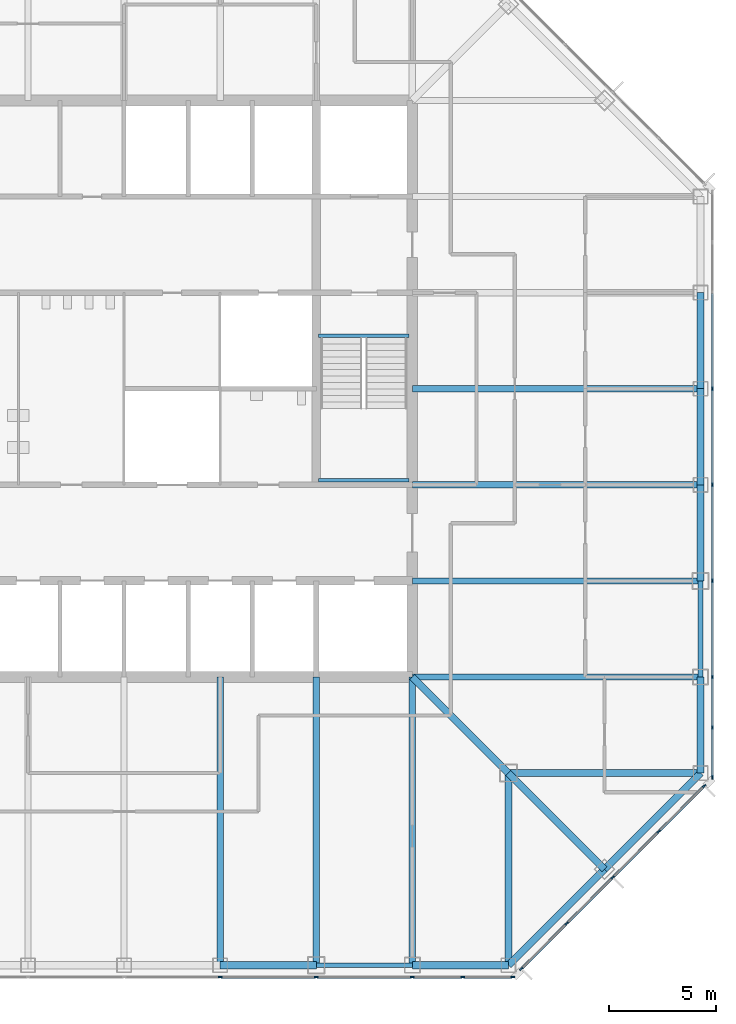
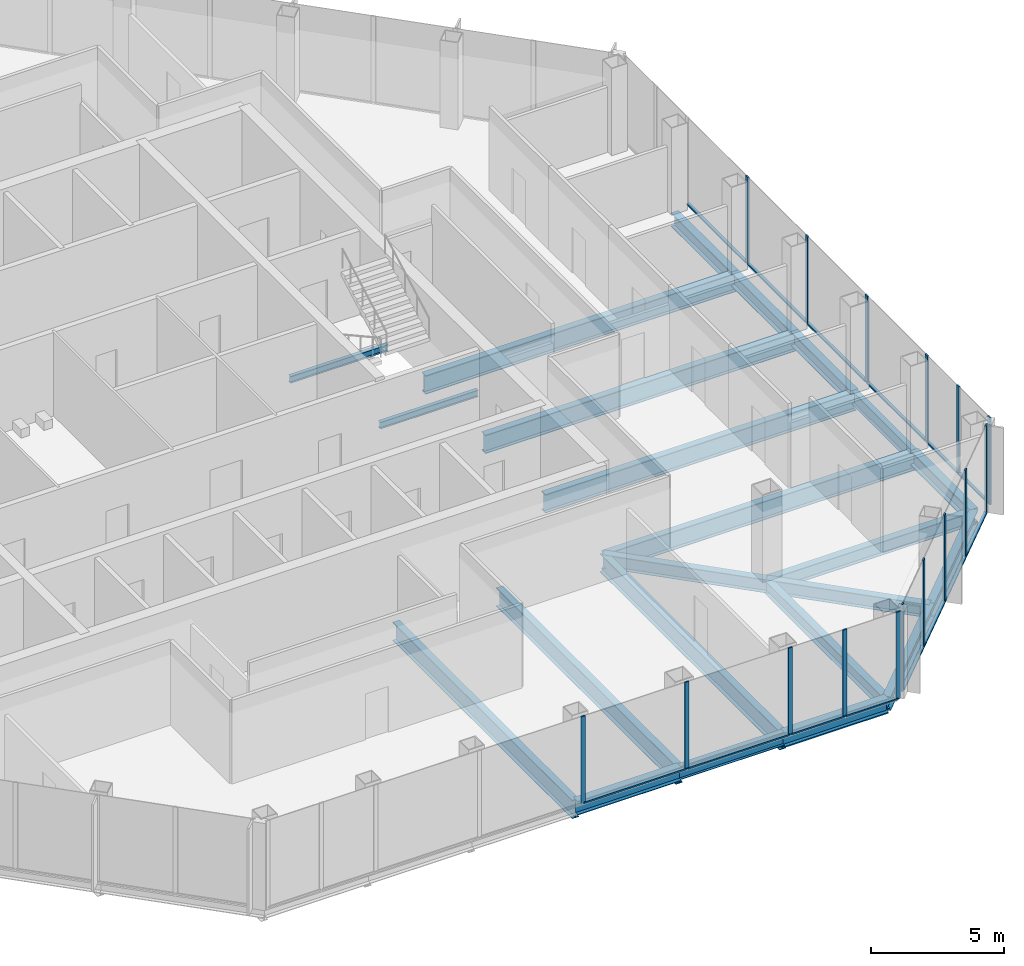
# One storey, part 4 of 13: 30 members, 23 beams, 3 elements without a shape of their own.
"""IFC4 building model written with IfcOpenShell, lengths in metres."""

from ifc_helpers import new_model, si_unit, direction, frame, origin, origin_2d, place, context, subcontext, project, spatial, rectangle, i_section, extrude, material, material_profile, profile_set, type_object, element, aggregate, save


model = new_model("IFC4")

# Units and contexts
model_context = context("Model", 3, precision=1e-05, world=origin(), true_north=direction((0.0, 1.0)))
body_context = subcontext(model_context, "Body", "Model", "MODEL_VIEW")
ifc_project = project(units=[si_unit("LENGTHUNIT", "METRE"), si_unit("AREAUNIT", "SQUARE_METRE"), si_unit("VOLUMEUNIT", "CUBIC_METRE"), si_unit("PLANEANGLEUNIT", "RADIAN"), si_unit("MASSUNIT", "GRAM", prefix="KILO")], contexts=[model_context])

# Site, building, storey
site_placement = place(None, origin())
site = spatial("IfcSite", under=ifc_project, at=site_placement, CompositionType="ELEMENT")
building_placement = place(site_placement, origin())
building = spatial("IfcBuilding", under=site, at=building_placement, Name="Corais Broadcast Tower", CompositionType="ELEMENT")
storey_placement = place(building_placement, frame((0.0, 0.0, 179.60009765625)))
storey = spatial("IfcBuildingStorey", under=building, at=storey_placement, Name="L41", CompositionType="ELEMENT", Elevation=179.60009765625)

# Beams
ifc_material_1 = material(Name="Steel ASTM A572 Grade 50", Category="steel")
ifc_material_profile_1 = material_profile(ifc_material_1, i_section(OverallWidth=0.323974609375, OverallDepth=0.611083984375, WebThickness=0.0126953125, FlangeThickness=0.01904296875, at=origin_2d()), Name="W610x155")
ifc_profile_set_1 = profile_set([ifc_material_profile_1], Name="Steel ASTM A572 Grade 50")
beam_type_1 = type_object("IfcBeamType", Name="Chamfer tie W610x155", PredefinedType="BEAM", material=ifc_profile_set_1)
beam_1_placement = place(storey_placement, frame((49.5, 4.5, -0.465576171875), z_axis=(-0.707106781187, 0.707106781187, 0.0), x_axis=(-0.707106781187, -0.707106781187, 0.0)))
element("IfcBeam", 1, at=beam_1_placement, inside=storey, type_object=beam_type_1, Name="B5 B/14 to C/13", PredefinedType="BEAM", context=body_context, shape_type="SweptSolid", body=[
    extrude(i_section(OverallWidth=0.323974609375, OverallDepth=0.611083984375, WebThickness=0.0126953125, FlangeThickness=0.01904296875, at=origin_2d()), origin(), (0.0, 0.0, 1.0), 6.364013671875),
])
ifc_material_2 = material(Name="Steel ASTM A572 Grade 50", Category="steel")
ifc_material_profile_2 = material_profile(ifc_material_2, i_section(OverallWidth=0.323974609375, OverallDepth=0.611083984375, WebThickness=0.0126953125, FlangeThickness=0.01904296875, at=origin_2d()), Name="W610x155")
ifc_profile_set_2 = profile_set([ifc_material_profile_2], Name="Steel ASTM A572 Grade 50")
beam_type_2 = type_object("IfcBeamType", Name="Corner diagonal W610x155", PredefinedType="BEAM", material=ifc_profile_set_2)
beam_2_placement = place(storey_placement, frame((45.0, 9.0, -0.465576171875), z_axis=(-0.707106781187, 0.707106781187, 0.0), x_axis=(-0.707106781187, -0.707106781187, 0.0)))
element("IfcBeam", 2, at=beam_2_placement, inside=storey, type_object=beam_type_2, Name="B6 C/13 to D/12", PredefinedType="BEAM", context=body_context, shape_type="SweptSolid", body=[
    extrude(i_section(OverallWidth=0.323974609375, OverallDepth=0.611083984375, WebThickness=0.0126953125, FlangeThickness=0.01904296875, at=origin_2d()), origin(), (0.0, 0.0, 1.0), 6.364013671875),
])
ifc_material_3 = material(Name="Steel ASTM A572 Grade 50", Category="steel")
ifc_material_profile_3 = material_profile(ifc_material_3, i_section(OverallWidth=0.323974609375, OverallDepth=0.611083984375, WebThickness=0.0126953125, FlangeThickness=0.01904296875, at=origin_2d()), Name="W610x155")
ifc_profile_set_3 = profile_set([ifc_material_profile_3], Name="Steel ASTM A572 Grade 50")
beam_type_3 = type_object("IfcBeamType", Name="Corner girder W610x155", PredefinedType="BEAM", material=ifc_profile_set_3)
for number, where, z_axis, x_axis, name in (
    (3, (45.0, 0.0, -0.465576171875), (0.0, 1.0, 0.0), (-1.0, 0.0, 0.0), "B4 A/13 to C/13"),
    (4, (54.0, 9.0, -0.465576171875), (-1.0, 0.0, 0.0), (0.0, -1.0, 0.0), "B4 C/15 to C/13"),
):
    element("IfcBeam", number, at=place(storey_placement, frame(where, z_axis=z_axis, x_axis=x_axis)), inside=storey, type_object=beam_type_3, Name=name, PredefinedType="BEAM", context=body_context, shape_type="SweptSolid", body=[
        extrude(i_section(OverallWidth=0.323974609375, OverallDepth=0.611083984375, WebThickness=0.0126953125, FlangeThickness=0.01904296875, at=origin_2d()), origin(), (0.0, 0.0, 1.0), 9.0),
    ])
ifc_material_4 = material(Name="Steel ASTM A572 Grade 50", Category="steel")
ifc_material_profile_4 = material_profile(ifc_material_4, i_section(OverallWidth=0.337890625, OverallDepth=0.677978515625, WebThickness=0.029541015625, FlangeThickness=0.052978515625, at=origin_2d()), Name="W610x415")
ifc_profile_set_4 = profile_set([ifc_material_profile_4], Name="Steel ASTM A572 Grade 50")
beam_type_4 = type_object("IfcBeamType", Name="Corner spandrel W610x415", PredefinedType="BEAM", material=ifc_profile_set_4)
for number, where, z_axis, x_axis, name in (
    (5, (40.5, 0.0, -0.4990234375), (1.0, 0.0, 0.0), (0.0, 1.0, 0.0), "SB10 A/12 to A/13"),
    (6, (54.0, 9.0, -0.4990234375), (0.0, 1.0, 0.0), (-1.0, 0.0, 0.0), "SB10 C/15 to D/15"),
):
    element("IfcBeam", number, at=place(storey_placement, frame(where, z_axis=z_axis, x_axis=x_axis)), inside=storey, type_object=beam_type_4, Name=name, PredefinedType="BEAM", context=body_context, shape_type="SweptSolid", body=[
        extrude(i_section(OverallWidth=0.337890625, OverallDepth=0.677978515625, WebThickness=0.029541015625, FlangeThickness=0.052978515625, at=origin_2d()), origin(), (0.0, 0.0, 1.0), 4.5),
    ])
ifc_material_5 = material(Name="Steel ASTM A572 Grade 50", Category="steel")
ifc_material_profile_5 = material_profile(ifc_material_5, i_section(OverallWidth=0.2939453125, OverallDepth=0.85107421875, WebThickness=0.01611328125, FlangeThickness=0.02685546875, at=origin_2d()), Name="W840x226")
ifc_profile_set_5 = profile_set([ifc_material_profile_5], Name="Steel ASTM A572 Grade 50")
beam_type_5 = type_object("IfcBeamType", Name="Floor beam W840x226", PredefinedType="BEAM", material=ifc_profile_set_5)
for number, where, z_axis, x_axis, name in (
    (7, (31.5, 0.0, -0.585693359375), (0.0, 1.0, 0.0), (-1.0, 0.0, 0.0), "B1 A/10 to D/10"),
    (8, (36.0, 0.0, -0.585693359375), (0.0, 1.0, 0.0), (-1.0, 0.0, 0.0), "B1 A/11 to D/11"),
    (9, (40.5, 0.0, -0.585693359375), (0.0, 1.0, 0.0), (-1.0, 0.0, 0.0), "B1 A/12 to D/12"),
    (10, (54.0, 13.5, -0.585693359375), (-1.0, 0.0, 0.0), (0.0, -1.0, 0.0), "B1 D/15 to D/12"),
    (11, (54.0, 18.0, -0.585693359375), (-1.0, 0.0, 0.0), (0.0, -1.0, 0.0), "B1 E/15 to E/12"),
    (12, (54.0, 22.5, -0.585693359375), (-1.0, 0.0, 0.0), (0.0, -1.0, 0.0), "B1 F/15 to F/12"),
    (13, (54.0, 27.0, -0.585693359375), (-1.0, 0.0, 0.0), (0.0, -1.0, 0.0), "B1 G/15 to G/12"),
):
    element("IfcBeam", number, at=place(storey_placement, frame(where, z_axis=z_axis, x_axis=x_axis)), inside=storey, type_object=beam_type_5, Name=name, PredefinedType="BEAM", context=body_context, shape_type="SweptSolid", body=[
        extrude(i_section(OverallWidth=0.2939453125, OverallDepth=0.85107421875, WebThickness=0.01611328125, FlangeThickness=0.02685546875, at=origin_2d()), origin(), (0.0, 0.0, 1.0), 13.5),
    ])
ifc_material_6 = material(Name="Steel ASTM A572 Grade 50", Category="steel")
ifc_material_profile_6 = material_profile(ifc_material_6, i_section(OverallWidth=0.1650390625, OverallDepth=0.31005859375, WebThickness=0.005859375, FlangeThickness=0.009765625, at=origin_2d()), Name="W310x38.7")
ifc_profile_set_6 = profile_set([ifc_material_profile_6], Name="Steel ASTM A572 Grade 50")
beam_type_6 = type_object("IfcBeamType", Name="Landing trimmer W310x38.7", PredefinedType="BEAM", material=ifc_profile_set_6)
for number, where, z_axis, x_axis, name in (
    (14, (36.10009765625, 29.47509765625, -0.35498046875), (1.0, 0.0, 0.0), (0.0, 1.0, 0.0), "LT1 stair B landing trimmer L41"),
    (15, (36.10009765625, 22.715087890625, 1.64501953125), (1.0, 0.0, 0.0), (0.0, 1.0, 0.0), "LT1 stair B half landing trimmer L41"),
):
    element("IfcBeam", number, at=place(storey_placement, frame(where, z_axis=z_axis, x_axis=x_axis)), inside=storey, type_object=beam_type_6, Name=name, PredefinedType="BEAM", context=body_context, shape_type="SweptSolid", body=[
        extrude(i_section(OverallWidth=0.1650390625, OverallDepth=0.31005859375, WebThickness=0.005859375, FlangeThickness=0.009765625, at=origin_2d()), origin(), (0.0, 0.0, 1.0), 4.25),
    ])

# Curtain wall, members
ifc_material_7 = material(Name="Aluminium and glass", Category="aluminium")
curtain_wall_type = type_object("IfcCurtainWallType", Name="Unitised fritted curtain wall CW2", PredefinedType="NOTDEFINED", material=ifc_material_7)
curtain_wall_1_placement = place(storey_placement, origin())
curtain_wall_1 = element("IfcCurtainWall", 16, at=curtain_wall_1_placement, inside=storey, type_object=curtain_wall_type, Name="CW2 curtain wall L41 6", PredefinedType="NOTDEFINED")
ifc_material_8 = material(Name="Aluminium 6063-T6", Category="aluminium")
ifc_material_profile_7 = material_profile(ifc_material_8, rectangle(XDim=0.06494140625, YDim=0.179931640625, at=origin_2d()), Name="Mullion CW2 65x180")
ifc_profile_set_7 = profile_set([ifc_material_profile_7], Name="Aluminium 6063-T6")
member_type_1 = type_object("IfcMemberType", Name="Mullion CW2 65x180", PredefinedType="MULLION", material=ifc_profile_set_7)
member_1_placement = place(storey_placement, frame((54.550048828125, 27.0, 0.0), z_axis=(0.0, 0.0, 1.0), x_axis=(1.0, 0.0, 0.0)))
member_1 = element("IfcMember", 17, at=member_1_placement, type_object=member_type_1, Name="CW2 mullion 4", PredefinedType="MULLION", context=body_context, shape_type="SweptSolid", body=[
    extrude(rectangle(XDim=0.06494140625, YDim=0.179931640625, at=origin_2d()), origin(), (0.0, 0.0, 1.0), 4.0),
])
member_2_placement = place(storey_placement, frame((54.550048828125, 22.5, 0.0), z_axis=(0.0, 0.0, 1.0), x_axis=(1.0, 0.0, 0.0)))
member_2 = element("IfcMember", 18, at=member_2_placement, type_object=member_type_1, Name="CW2 mullion 5", PredefinedType="MULLION", context=body_context, shape_type="SweptSolid", body=[
    extrude(rectangle(XDim=0.06494140625, YDim=0.179931640625, at=origin_2d()), origin(), (0.0, 0.0, 1.0), 4.0),
])
member_3_placement = place(storey_placement, frame((54.550048828125, 18.0, 0.0), z_axis=(0.0, 0.0, 1.0), x_axis=(1.0, 0.0, 0.0)))
member_3 = element("IfcMember", 19, at=member_3_placement, type_object=member_type_1, Name="CW2 mullion 6", PredefinedType="MULLION", context=body_context, shape_type="SweptSolid", body=[
    extrude(rectangle(XDim=0.06494140625, YDim=0.179931640625, at=origin_2d()), origin(), (0.0, 0.0, 1.0), 4.0),
])
member_4_placement = place(storey_placement, frame((54.550048828125, 13.5, 0.0), z_axis=(0.0, 0.0, 1.0), x_axis=(1.0, 0.0, 0.0)))
member_4 = element("IfcMember", 20, at=member_4_placement, type_object=member_type_1, Name="CW2 mullion 7", PredefinedType="MULLION", context=body_context, shape_type="SweptSolid", body=[
    extrude(rectangle(XDim=0.06494140625, YDim=0.179931640625, at=origin_2d()), origin(), (0.0, 0.0, 1.0), 4.0),
])
member_5_placement = place(storey_placement, frame((54.550048828125, 11.135986328125, 0.0), z_axis=(0.0, 0.0, 1.0), x_axis=(1.0, 0.0, 0.0)))
member_5 = element("IfcMember", 21, at=member_5_placement, type_object=member_type_1, Name="CW2 mullion 8", PredefinedType="MULLION", context=body_context, shape_type="SweptSolid", body=[
    extrude(rectangle(XDim=0.06494140625, YDim=0.179931640625, at=origin_2d()), origin(), (0.0, 0.0, 1.0), 4.0),
])
member_6_placement = place(storey_placement, frame((54.550048828125, 8.8046875, 0.0), z_axis=(0.0, 0.0, 1.0), x_axis=(1.0, 0.0, 0.0)))
member_6 = element("IfcMember", 22, at=member_6_placement, type_object=member_type_1, Name="CW2 mullion 9", PredefinedType="MULLION", context=body_context, shape_type="SweptSolid", body=[
    extrude(rectangle(XDim=0.06494140625, YDim=0.179931640625, at=origin_2d()), origin(), (0.0, 0.0, 1.0), 4.0),
])

curtain_wall_2_placement = place(storey_placement, origin())
curtain_wall_2 = element("IfcCurtainWall", 23, at=curtain_wall_2_placement, inside=storey, type_object=curtain_wall_type, Name="CW2 curtain wall L41 7", PredefinedType="NOTDEFINED")
member_7_placement = place(storey_placement, frame((54.17333984375, 8.3955078125, 0.0), z_axis=(0.0, 0.0, 1.0), x_axis=(0.707106781187, -0.707106781187, 0.0)))
member_7 = element("IfcMember", 24, at=member_7_placement, type_object=member_type_1, Name="CW2 mullion 1", PredefinedType="MULLION", context=body_context, shape_type="SweptSolid", body=[
    extrude(rectangle(XDim=0.06494140625, YDim=0.179931640625, at=origin_2d()), origin(), (0.0, 0.0, 1.0), 4.0),
])
member_8_placement = place(storey_placement, frame((52.042724609375, 6.264892578125, 0.0), z_axis=(0.0, 0.0, 1.0), x_axis=(0.707106781187, -0.707106781187, 0.0)))
member_8 = element("IfcMember", 25, at=member_8_placement, type_object=member_type_1, Name="CW2 mullion 2", PredefinedType="MULLION", context=body_context, shape_type="SweptSolid", body=[
    extrude(rectangle(XDim=0.06494140625, YDim=0.179931640625, at=origin_2d()), origin(), (0.0, 0.0, 1.0), 4.0),
])
member_9_placement = place(storey_placement, frame((49.888916015625, 4.111083984375, 0.0), z_axis=(0.0, 0.0, 1.0), x_axis=(0.707106781187, -0.707106781187, 0.0)))
member_9 = element("IfcMember", 26, at=member_9_placement, type_object=member_type_1, Name="CW2 mullion 3", PredefinedType="MULLION", context=body_context, shape_type="SweptSolid", body=[
    extrude(rectangle(XDim=0.06494140625, YDim=0.179931640625, at=origin_2d()), origin(), (0.0, 0.0, 1.0), 4.0),
])
member_10_placement = place(storey_placement, frame((47.735107421875, 1.957275390625, 0.0), z_axis=(0.0, 0.0, 1.0), x_axis=(0.707106781187, -0.707106781187, 0.0)))
member_10 = element("IfcMember", 27, at=member_10_placement, type_object=member_type_1, Name="CW2 mullion 4", PredefinedType="MULLION", context=body_context, shape_type="SweptSolid", body=[
    extrude(rectangle(XDim=0.06494140625, YDim=0.179931640625, at=origin_2d()), origin(), (0.0, 0.0, 1.0), 4.0),
])
member_11_placement = place(storey_placement, frame((45.6044921875, -0.17333984375, 0.0), z_axis=(0.0, 0.0, 1.0), x_axis=(0.707106781187, -0.707106781187, 0.0)))
member_11 = element("IfcMember", 28, at=member_11_placement, type_object=member_type_1, Name="CW2 mullion 5", PredefinedType="MULLION", context=body_context, shape_type="SweptSolid", body=[
    extrude(rectangle(XDim=0.06494140625, YDim=0.179931640625, at=origin_2d()), origin(), (0.0, 0.0, 1.0), 4.0),
])

curtain_wall_3_placement = place(storey_placement, origin())
curtain_wall_3 = element("IfcCurtainWall", 29, at=curtain_wall_3_placement, inside=storey, type_object=curtain_wall_type, Name="CW2 curtain wall L41 8", PredefinedType="NOTDEFINED")
member_12_placement = place(storey_placement, frame((45.1953125, -0.550048828125, 0.0), z_axis=(0.0, 0.0, 1.0), x_axis=(0.0, -1.0, 0.0)))
member_12 = element("IfcMember", 30, at=member_12_placement, type_object=member_type_1, Name="CW2 mullion 1", PredefinedType="MULLION", context=body_context, shape_type="SweptSolid", body=[
    extrude(rectangle(XDim=0.06494140625, YDim=0.179931640625, at=origin_2d()), origin(), (0.0, 0.0, 1.0), 4.0),
])
member_13_placement = place(storey_placement, frame((42.864013671875, -0.550048828125, 0.0), z_axis=(0.0, 0.0, 1.0), x_axis=(0.0, -1.0, 0.0)))
member_13 = element("IfcMember", 31, at=member_13_placement, type_object=member_type_1, Name="CW2 mullion 2", PredefinedType="MULLION", context=body_context, shape_type="SweptSolid", body=[
    extrude(rectangle(XDim=0.06494140625, YDim=0.179931640625, at=origin_2d()), origin(), (0.0, 0.0, 1.0), 4.0),
])
member_14_placement = place(storey_placement, frame((40.5, -0.550048828125, 0.0), z_axis=(0.0, 0.0, 1.0), x_axis=(0.0, -1.0, 0.0)))
member_14 = element("IfcMember", 32, at=member_14_placement, type_object=member_type_1, Name="CW2 mullion 3", PredefinedType="MULLION", context=body_context, shape_type="SweptSolid", body=[
    extrude(rectangle(XDim=0.06494140625, YDim=0.179931640625, at=origin_2d()), origin(), (0.0, 0.0, 1.0), 4.0),
])
member_15_placement = place(storey_placement, frame((36.0, -0.550048828125, 0.0), z_axis=(0.0, 0.0, 1.0), x_axis=(0.0, -1.0, 0.0)))
member_15 = element("IfcMember", 33, at=member_15_placement, type_object=member_type_1, Name="CW2 mullion 4", PredefinedType="MULLION", context=body_context, shape_type="SweptSolid", body=[
    extrude(rectangle(XDim=0.06494140625, YDim=0.179931640625, at=origin_2d()), origin(), (0.0, 0.0, 1.0), 4.0),
])
member_16_placement = place(storey_placement, frame((31.5, -0.550048828125, 0.0), z_axis=(0.0, 0.0, 1.0), x_axis=(0.0, -1.0, 0.0)))
member_16 = element("IfcMember", 34, at=member_16_placement, type_object=member_type_1, Name="CW2 mullion 5", PredefinedType="MULLION", context=body_context, shape_type="SweptSolid", body=[
    extrude(rectangle(XDim=0.06494140625, YDim=0.179931640625, at=origin_2d()), origin(), (0.0, 0.0, 1.0), 4.0),
])

# Beams
ifc_material_9 = material(Name="Steel ASTM A572 Grade 50", Category="steel")
ifc_material_profile_8 = material_profile(ifc_material_9, i_section(OverallWidth=0.22900390625, OverallDepth=0.612060546875, WebThickness=0.011962890625, FlangeThickness=0.01953125, at=origin_2d()), Name="W610x125")
ifc_profile_set_8 = profile_set([ifc_material_profile_8], Name="Steel ASTM A572 Grade 50")
beam_type_7 = type_object("IfcBeamType", Name="Pinned spandrel W610x125", PredefinedType="BEAM", material=ifc_profile_set_8)
for number, where, z_axis, x_axis, name in (
    (35, (36.0, 0.0, -0.466064453125), (1.0, 0.0, 0.0), (0.0, 1.0, 0.0), "SB7 A/11 to A/12"),
    (36, (54.0, 13.5, -0.466064453125), (0.0, 1.0, 0.0), (-1.0, 0.0, 0.0), "SB7 D/15 to E/15"),
):
    element("IfcBeam", number, at=place(storey_placement, frame(where, z_axis=z_axis, x_axis=x_axis)), inside=storey, type_object=beam_type_7, Name=name, PredefinedType="BEAM", context=body_context, shape_type="SweptSolid", body=[
        extrude(i_section(OverallWidth=0.22900390625, OverallDepth=0.612060546875, WebThickness=0.011962890625, FlangeThickness=0.01953125, at=origin_2d()), origin(), (0.0, 0.0, 1.0), 4.5),
    ])
ifc_material_10 = material(Name="Steel ASTM A572 Grade 50", Category="steel")
ifc_material_profile_9 = material_profile(ifc_material_10, i_section(OverallWidth=0.3291015625, OverallDepth=0.635009765625, WebThickness=0.017822265625, FlangeThickness=0.031005859375, at=origin_2d()), Name="W610x241")
ifc_profile_set_9 = profile_set([ifc_material_profile_9], Name="Steel ASTM A572 Grade 50")
beam_type_8 = type_object("IfcBeamType", Name="Spandrel W610x241", PredefinedType="BEAM", material=ifc_profile_set_9)
beam_3_placement = place(storey_placement, frame((31.5, 0.0, -0.4775390625), z_axis=(1.0, 0.0, 0.0), x_axis=(0.0, 1.0, 0.0)))
element("IfcBeam", 37, at=beam_3_placement, inside=storey, type_object=beam_type_8, Name="SB1 A/10 to A/11", PredefinedType="BEAM", context=body_context, shape_type="SweptSolid", body=[
    extrude(i_section(OverallWidth=0.3291015625, OverallDepth=0.635009765625, WebThickness=0.017822265625, FlangeThickness=0.031005859375, at=origin_2d()), origin(), (0.0, 0.0, 1.0), 4.5),
])
for number, where, z_axis, x_axis, name in (
    (38, (45.0, 0.0, -0.4775390625), (0.707106781187, 0.707106781187, 0.0), (-0.707106781187, 0.707106781187, 0.0), "SB1 A/13 to B/14"),
    (39, (49.5, 4.5, -0.4775390625), (0.707106781187, 0.707106781187, 0.0), (-0.707106781187, 0.707106781187, 0.0), "SB1 B/14 to C/15"),
):
    element("IfcBeam", number, at=place(storey_placement, frame(where, z_axis=z_axis, x_axis=x_axis)), inside=storey, type_object=beam_type_8, Name=name, PredefinedType="BEAM", context=body_context, shape_type="SweptSolid", body=[
        extrude(i_section(OverallWidth=0.3291015625, OverallDepth=0.635009765625, WebThickness=0.017822265625, FlangeThickness=0.031005859375, at=origin_2d()), origin(), (0.0, 0.0, 1.0), 6.364013671875),
    ])
for number, where, z_axis, x_axis, name in (
    (40, (54.0, 18.0, -0.4775390625), (0.0, 1.0, 0.0), (-1.0, 0.0, 0.0), "SB1 E/15 to F/15"),
    (41, (54.0, 22.5, -0.4775390625), (0.0, 1.0, 0.0), (-1.0, 0.0, 0.0), "SB1 F/15 to G/15"),
    (42, (54.0, 27.0, -0.4775390625), (0.0, 1.0, 0.0), (-1.0, 0.0, 0.0), "SB1 G/15 to H/15"),
):
    element("IfcBeam", number, at=place(storey_placement, frame(where, z_axis=z_axis, x_axis=x_axis)), inside=storey, type_object=beam_type_8, Name=name, PredefinedType="BEAM", context=body_context, shape_type="SweptSolid", body=[
        extrude(i_section(OverallWidth=0.3291015625, OverallDepth=0.635009765625, WebThickness=0.017822265625, FlangeThickness=0.031005859375, at=origin_2d()), origin(), (0.0, 0.0, 1.0), 4.5),
    ])

# Member
ifc_material_11 = material(Name="Aluminium 6063-T6", Category="aluminium")
ifc_material_profile_10 = material_profile(ifc_material_11, rectangle(XDim=0.1298828125, YDim=0.06494140625, at=origin_2d()), Name="Transom CW2 65x130")
ifc_profile_set_10 = profile_set([ifc_material_profile_10], Name="Aluminium 6063-T6")
member_type_2 = type_object("IfcMemberType", Name="Transom CW2 65x130", PredefinedType="USERDEFINED", material=ifc_profile_set_10)
member_17_placement = place(storey_placement, frame((54.550048828125, 31.467529296875, 0.032470703125), z_axis=(0.0, -1.0, 0.0), x_axis=(1.0, 0.0, 0.0)))
member_17 = element("IfcMember", 43, at=member_17_placement, type_object=member_type_2, Name="CW2 transom 3.1", ObjectType="TRANSOM", PredefinedType="USERDEFINED", context=body_context, shape_type="SweptSolid", body=[
    extrude(rectangle(XDim=0.1298828125, YDim=0.06494140625, at=origin_2d()), origin(), (0.0, 0.0, 1.0), 4.43505859375),
])

member_18_placement = place(storey_placement, frame((54.550048828125, 26.967529296875, 0.032470703125), z_axis=(0.0, -1.0, 0.0), x_axis=(1.0, 0.0, 0.0)))
member_18 = element("IfcMember", 44, at=member_18_placement, type_object=member_type_2, Name="CW2 transom 4.1", ObjectType="TRANSOM", PredefinedType="USERDEFINED", context=body_context, shape_type="SweptSolid", body=[
    extrude(rectangle(XDim=0.1298828125, YDim=0.06494140625, at=origin_2d()), origin(), (0.0, 0.0, 1.0), 4.43505859375),
])

member_19_placement = place(storey_placement, frame((54.550048828125, 22.467529296875, 0.032470703125), z_axis=(0.0, -1.0, 0.0), x_axis=(1.0, 0.0, 0.0)))
member_19 = element("IfcMember", 45, at=member_19_placement, type_object=member_type_2, Name="CW2 transom 5.1", ObjectType="TRANSOM", PredefinedType="USERDEFINED", context=body_context, shape_type="SweptSolid", body=[
    extrude(rectangle(XDim=0.1298828125, YDim=0.06494140625, at=origin_2d()), origin(), (0.0, 0.0, 1.0), 4.43505859375),
])

member_20_placement = place(storey_placement, frame((54.550048828125, 17.967529296875, 0.032470703125), z_axis=(0.0, -1.0, 0.0), x_axis=(1.0, 0.0, 0.0)))
member_20 = element("IfcMember", 46, at=member_20_placement, type_object=member_type_2, Name="CW2 transom 6.1", ObjectType="TRANSOM", PredefinedType="USERDEFINED", context=body_context, shape_type="SweptSolid", body=[
    extrude(rectangle(XDim=0.1298828125, YDim=0.06494140625, at=origin_2d()), origin(), (0.0, 0.0, 1.0), 4.43505859375),
])

member_21_placement = place(storey_placement, frame((54.550048828125, 13.467529296875, 0.032470703125), z_axis=(0.0, -1.0, 0.0), x_axis=(1.0, 0.0, 0.0)))
member_21 = element("IfcMember", 47, at=member_21_placement, type_object=member_type_2, Name="CW2 transom 7.1", ObjectType="TRANSOM", PredefinedType="USERDEFINED", context=body_context, shape_type="SweptSolid", body=[
    extrude(rectangle(XDim=0.1298828125, YDim=0.06494140625, at=origin_2d()), origin(), (0.0, 0.0, 1.0), 2.298828125),
])

member_22_placement = place(storey_placement, frame((54.550048828125, 11.103515625, 0.032470703125), z_axis=(0.0, -1.0, 0.0), x_axis=(1.0, 0.0, 0.0)))
member_22 = element("IfcMember", 48, at=member_22_placement, type_object=member_type_2, Name="CW2 transom 8.1", ObjectType="TRANSOM", PredefinedType="USERDEFINED", context=body_context, shape_type="SweptSolid", body=[
    extrude(rectangle(XDim=0.1298828125, YDim=0.06494140625, at=origin_2d()), origin(), (0.0, 0.0, 1.0), 2.266357421875),
])

aggregate(curtain_wall_1, [member_1, member_2, member_3, member_4, member_5, member_6, member_17, member_18, member_19, member_20, member_21, member_22])

member_23_placement = place(storey_placement, frame((54.150390625, 8.37255859375, 0.032470703125), z_axis=(-0.707106781187, -0.707106781187, 0.0), x_axis=(0.707106781187, -0.707106781187, 0.0)))
member_23 = element("IfcMember", 49, at=member_23_placement, type_object=member_type_2, Name="CW2 transom 1.1", ObjectType="TRANSOM", PredefinedType="USERDEFINED", context=body_context, shape_type="SweptSolid", body=[
    extrude(rectangle(XDim=0.1298828125, YDim=0.06494140625, at=origin_2d()), origin(), (0.0, 0.0, 1.0), 2.9482421875),
])

member_24_placement = place(storey_placement, frame((52.019775390625, 6.241943359375, 0.032470703125), z_axis=(-0.707106781187, -0.707106781187, 0.0), x_axis=(0.707106781187, -0.707106781187, 0.0)))
member_24 = element("IfcMember", 50, at=member_24_placement, type_object=member_type_2, Name="CW2 transom 2.1", ObjectType="TRANSOM", PredefinedType="USERDEFINED", context=body_context, shape_type="SweptSolid", body=[
    extrude(rectangle(XDim=0.1298828125, YDim=0.06494140625, at=origin_2d()), origin(), (0.0, 0.0, 1.0), 2.98095703125),
])

member_25_placement = place(storey_placement, frame((49.865966796875, 4.088134765625, 0.032470703125), z_axis=(-0.707106781187, -0.707106781187, 0.0), x_axis=(0.707106781187, -0.707106781187, 0.0)))
member_25 = element("IfcMember", 51, at=member_25_placement, type_object=member_type_2, Name="CW2 transom 3.1", ObjectType="TRANSOM", PredefinedType="USERDEFINED", context=body_context, shape_type="SweptSolid", body=[
    extrude(rectangle(XDim=0.1298828125, YDim=0.06494140625, at=origin_2d()), origin(), (0.0, 0.0, 1.0), 2.98095703125),
])

member_26_placement = place(storey_placement, frame((47.712158203125, 1.934326171875, 0.032470703125), z_axis=(-0.707106781187, -0.707106781187, 0.0), x_axis=(0.707106781187, -0.707106781187, 0.0)))
member_26 = element("IfcMember", 52, at=member_26_placement, type_object=member_type_2, Name="CW2 transom 4.1", ObjectType="TRANSOM", PredefinedType="USERDEFINED", context=body_context, shape_type="SweptSolid", body=[
    extrude(rectangle(XDim=0.1298828125, YDim=0.06494140625, at=origin_2d()), origin(), (0.0, 0.0, 1.0), 2.9482421875),
])

aggregate(curtain_wall_2, [member_7, member_8, member_9, member_10, member_11, member_23, member_24, member_25, member_26])

member_27_placement = place(storey_placement, frame((45.162841796875, -0.550048828125, 0.032470703125), z_axis=(-1.0, 0.0, 0.0), x_axis=(0.0, -1.0, 0.0)))
member_27 = element("IfcMember", 53, at=member_27_placement, type_object=member_type_2, Name="CW2 transom 1.1", ObjectType="TRANSOM", PredefinedType="USERDEFINED", context=body_context, shape_type="SweptSolid", body=[
    extrude(rectangle(XDim=0.1298828125, YDim=0.06494140625, at=origin_2d()), origin(), (0.0, 0.0, 1.0), 2.266357421875),
])

member_28_placement = place(storey_placement, frame((42.831298828125, -0.550048828125, 0.032470703125), z_axis=(-1.0, 0.0, 0.0), x_axis=(0.0, -1.0, 0.0)))
member_28 = element("IfcMember", 54, at=member_28_placement, type_object=member_type_2, Name="CW2 transom 2.1", ObjectType="TRANSOM", PredefinedType="USERDEFINED", context=body_context, shape_type="SweptSolid", body=[
    extrude(rectangle(XDim=0.1298828125, YDim=0.06494140625, at=origin_2d()), origin(), (0.0, 0.0, 1.0), 2.298828125),
])

member_29_placement = place(storey_placement, frame((40.467529296875, -0.550048828125, 0.032470703125), z_axis=(-1.0, 0.0, 0.0), x_axis=(0.0, -1.0, 0.0)))
member_29 = element("IfcMember", 55, at=member_29_placement, type_object=member_type_2, Name="CW2 transom 3.1", ObjectType="TRANSOM", PredefinedType="USERDEFINED", context=body_context, shape_type="SweptSolid", body=[
    extrude(rectangle(XDim=0.1298828125, YDim=0.06494140625, at=origin_2d()), origin(), (0.0, 0.0, 1.0), 4.43505859375),
])

member_30_placement = place(storey_placement, frame((35.967529296875, -0.550048828125, 0.032470703125), z_axis=(-1.0, 0.0, 0.0), x_axis=(0.0, -1.0, 0.0)))
member_30 = element("IfcMember", 56, at=member_30_placement, type_object=member_type_2, Name="CW2 transom 4.1", ObjectType="TRANSOM", PredefinedType="USERDEFINED", context=body_context, shape_type="SweptSolid", body=[
    extrude(rectangle(XDim=0.1298828125, YDim=0.06494140625, at=origin_2d()), origin(), (0.0, 0.0, 1.0), 4.43505859375),
])

aggregate(curtain_wall_3, [member_12, member_13, member_14, member_15, member_16, member_27, member_28, member_29, member_30])

save(model, "model.ifc")
